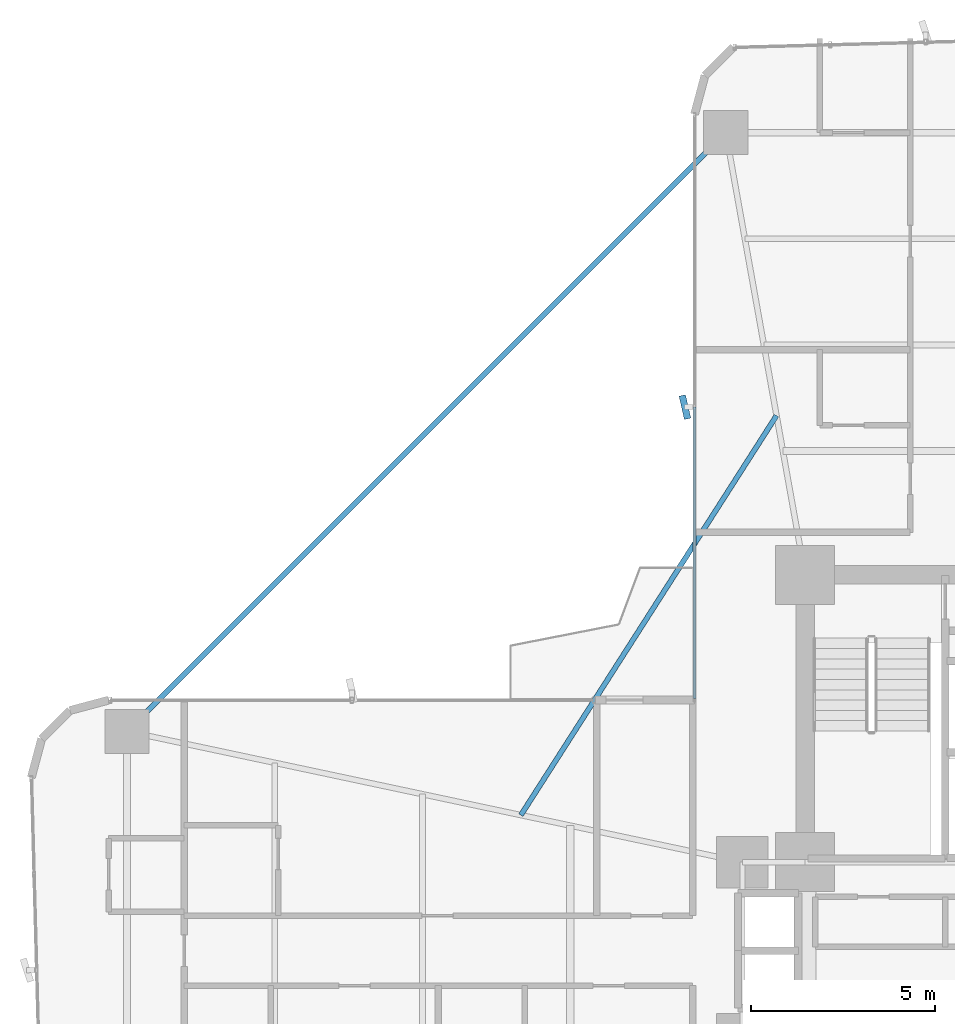
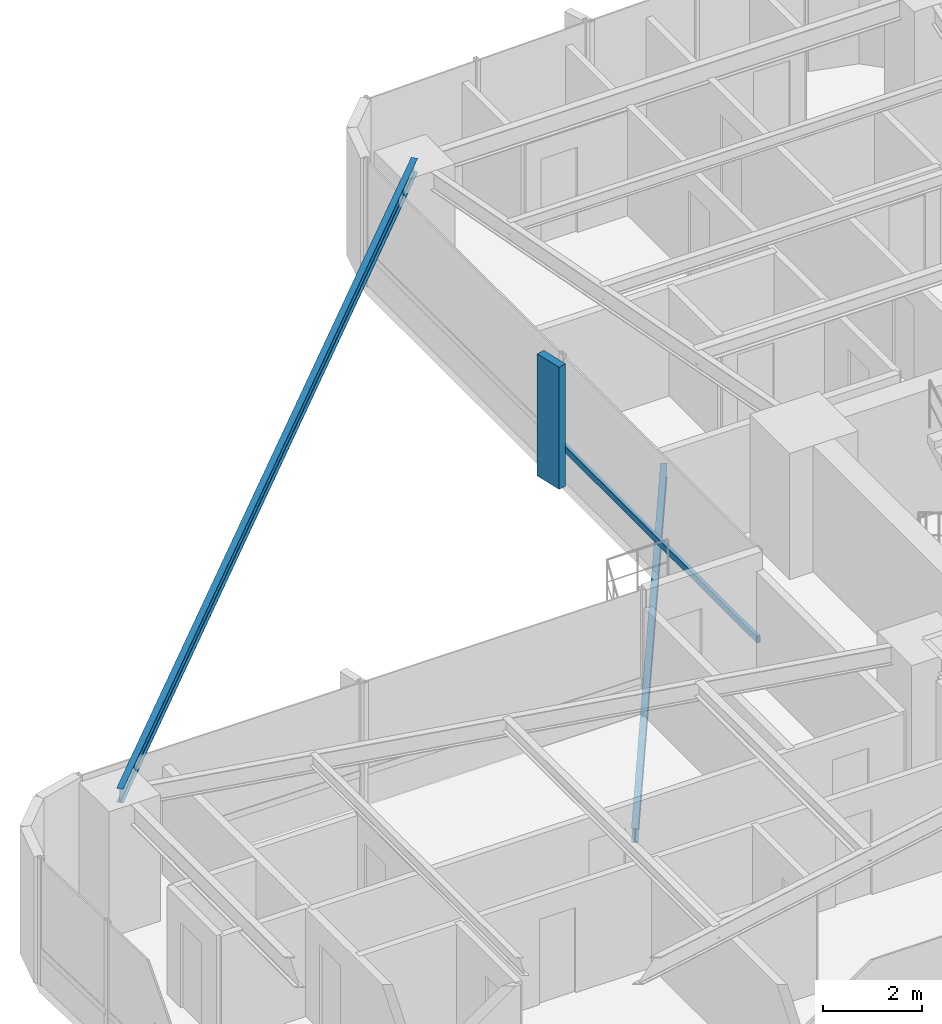
# One storey, part 17 of 26: 2 beams, 2 members, 1 element without a shape of its own.
"""IFC4 building model written with IfcOpenShell, lengths in metres."""

from ifc_helpers import new_model, si_unit, direction, frame, origin, origin_2d, place, context, subcontext, project, spatial, rectangle, hollow_rectangle, i_section, extrude, source, transform, mapped, material, material_profile, profile_set, type_object, element, aggregate, save


model = new_model("IFC4")

# Units and contexts
model_context = context("Model", 3, precision=1e-05, world=origin(), true_north=direction((0.0, 1.0)))
body_context = subcontext(model_context, "Body", "Model", "MODEL_VIEW")
ifc_project = project(units=[si_unit("LENGTHUNIT", "METRE"), si_unit("AREAUNIT", "SQUARE_METRE"), si_unit("VOLUMEUNIT", "CUBIC_METRE"), si_unit("PLANEANGLEUNIT", "RADIAN"), si_unit("MASSUNIT", "GRAM", prefix="KILO")], contexts=[model_context])

# Site, building, storey
site_placement = place(None, origin())
site = spatial("IfcSite", under=ifc_project, at=site_placement, CompositionType="ELEMENT")
building_placement = place(site_placement, origin())
building = spatial("IfcBuilding", under=site, at=building_placement, Name="Sahyath Konkavel Grand Hotel", CompositionType="ELEMENT")
storey_placement = place(building_placement, frame((0.0, 0.0, 26.449951171875)))
storey = spatial("IfcBuildingStorey", under=building, at=storey_placement, Name="L06", CompositionType="ELEMENT", Elevation=26.449951171875)

# Beam
ifc_material_1 = material(Name="Steel E350", Category="steel")
ifc_material_profile_1 = material_profile(ifc_material_1, i_section(OverallWidth=0.139892578125, OverallDepth=0.35009765625, WebThickness=0.008056640625, FlangeThickness=0.01416015625, FilletRadius=0.013916015625, at=origin_2d()), Name="ISMB 350")
ifc_profile_set_1 = profile_set([ifc_material_profile_1], Name="Steel E350")
beam_type_1 = type_object("IfcBeamType", Name="BM-ISMB350", PredefinedType="BEAM", material=ifc_profile_set_1)
shared_shape_1 = source(origin(), body_context, "Body", "SweptSolid", [
    extrude(i_section(OverallWidth=0.139892578125, OverallDepth=0.35009765625, WebThickness=0.008056640625, FlangeThickness=0.01416015625, FilletRadius=0.013916015625, at=origin_2d()), origin(), (0.0, 0.0, 1.0), 22.98095703125),
])
beam_1_placement = place(storey_placement, frame((-5.949951171875, 22.199951171875, 2.93505859375), z_axis=(-0.707106781187, -0.707106781187, 0.0), x_axis=(0.707106781187, -0.707106781187, 0.0)))
element("IfcBeam", 1, at=beam_1_placement, inside=storey, type_object=beam_type_1, Name="L06 Re-Entrant Tie Beam NW", PredefinedType="BEAM", context=body_context, shape_type="MappedRepresentation", body=[
    mapped(shared_shape_1, transform((0.0, 0.0, 0.0), scale=1.0)),
])

# Curtain wall, members
ifc_material_2 = material(Name="Anodised Bronze Aluminium & Low-E Glazing", Category="aluminium")
curtain_wall_type = type_object("IfcCurtainWallType", Name="CW-ZONE1", PredefinedType="NOTDEFINED", material=ifc_material_2)
curtain_wall_placement = place(storey_placement, origin())
curtain_wall = element("IfcCurtainWall", 2, at=curtain_wall_placement, inside=storey, type_object=curtain_wall_type, Name="L06 Unitised Curtain Wall F15", PredefinedType="NOTDEFINED")
ifc_material_3 = material(Name="Warm Buff Sandstone Cladding on Concrete C50/60", Category="masonry")
ifc_material_profile_2 = material_profile(ifc_material_3, rectangle(XDim=0.179931640625, YDim=0.64990234375, at=origin_2d()), Name="FIN 180x650")
ifc_profile_set_2 = profile_set([ifc_material_profile_2], Name="Warm Buff Sandstone Cladding on Concrete C50/60")
member_type_1 = type_object("IfcMemberType", Name="FIN-SANDSTONE-650", PredefinedType="MULLION", material=ifc_profile_set_2)
shared_shape_2 = source(origin(), body_context, "Body", "SweptSolid", [
    extrude(rectangle(XDim=0.179931640625, YDim=0.64990234375, at=origin_2d()), origin(), (0.0, 0.0, 1.0), 3.010009765625),
])
member_1_placement = place(storey_placement, frame((-7.06005859375, 14.75, 0.050048828125), z_axis=(0.0, 0.0, 1.0), x_axis=(0.974644167091, 0.223760469153, 0.0)))
member_1 = element("IfcMember", 3, at=member_1_placement, type_object=member_type_1, Name="L06 Sandstone Vertical Solar Fin FIN F15-1", PredefinedType="MULLION", context=body_context, shape_type="MappedRepresentation", body=[
    mapped(shared_shape_2, transform((0.0, 0.0, 0.0), scale=1.0)),
])
ifc_material_4 = material(Name="Anodised Bronze Aluminium", Category="aluminium")
ifc_material_profile_3 = material_profile(ifc_material_4, hollow_rectangle(XDim=0.080078125, YDim=0.159912109375, WallThickness=0.006103515625, at=origin_2d()), Name="RHS 160x80x6")
ifc_profile_set_3 = profile_set([ifc_material_profile_3], Name="Anodised Bronze Aluminium")
member_type_2 = type_object("IfcMemberType", Name="CW-TRN-160", PredefinedType="USERDEFINED", material=ifc_profile_set_3)
shared_shape_3 = source(origin(), body_context, "Body", "SweptSolid", [
    extrude(hollow_rectangle(XDim=0.080078125, YDim=0.159912109375, WallThickness=0.006103515625, at=origin_2d()), origin(), (0.0, 0.0, 1.0), 7.909912109375),
])
member_2_placement = place(storey_placement, frame((-6.800048828125, 14.75, 0.85009765625), z_axis=(0.0, -1.0, 0.0), x_axis=(1.0, 0.0, 0.0)))
member_2 = element("IfcMember", 4, at=member_2_placement, type_object=member_type_2, Name="L06 Curtain Wall Transom F15-1-spandrel", ObjectType="TRANSOM", PredefinedType="USERDEFINED", context=body_context, shape_type="MappedRepresentation", body=[
    mapped(shared_shape_3, transform((0.0, 0.0, 0.0), scale=1.0)),
])
aggregate(curtain_wall, [member_1, member_2])

# Beam
ifc_material_profile_4 = material_profile(ifc_material_1, i_section(OverallWidth=0.139892578125, OverallDepth=0.35009765625, WebThickness=0.008056640625, FlangeThickness=0.01416015625, FilletRadius=0.013916015625, at=origin_2d()), Name="ISMB 350")
ifc_profile_set_4 = profile_set([ifc_material_profile_4], Name="Steel E350")
beam_type_2 = type_object("IfcBeamType", Name="BM-BALC-CANT", PredefinedType="BEAM", material=ifc_profile_set_4)
shared_shape_4 = source(origin(), body_context, "Body", "SweptSolid", [
    extrude(i_section(OverallWidth=0.139892578125, OverallDepth=0.35009765625, WebThickness=0.008056640625, FlangeThickness=0.01416015625, FilletRadius=0.013916015625, at=origin_2d()), origin(), (0.0, 0.0, 1.0), 12.871826171875),
])
beam_2_placement = place(storey_placement, frame((-4.573974609375, 14.52001953125, -0.4150390625), z_axis=(-0.539003102535, -0.842303778608, 0.0), x_axis=(0.842303778608, -0.539003102535, 0.0)))
element("IfcBeam", 5, at=beam_2_placement, inside=storey, type_object=beam_type_2, Name="L06 Balcony Cantilever Support Beam NW", PredefinedType="BEAM", context=body_context, shape_type="MappedRepresentation", body=[
    mapped(shared_shape_4, transform((0.0, 0.0, 0.0), scale=1.0)),
])

save(model, "model.ifc")
